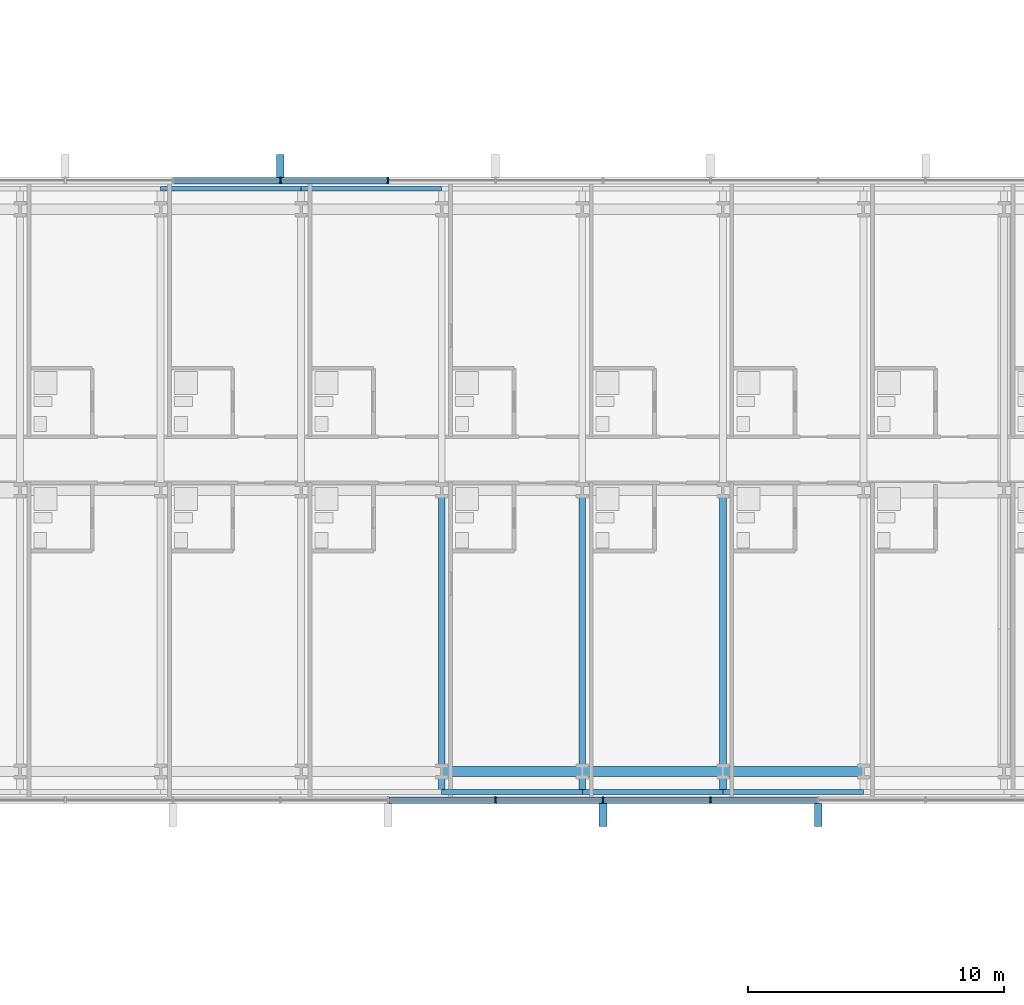
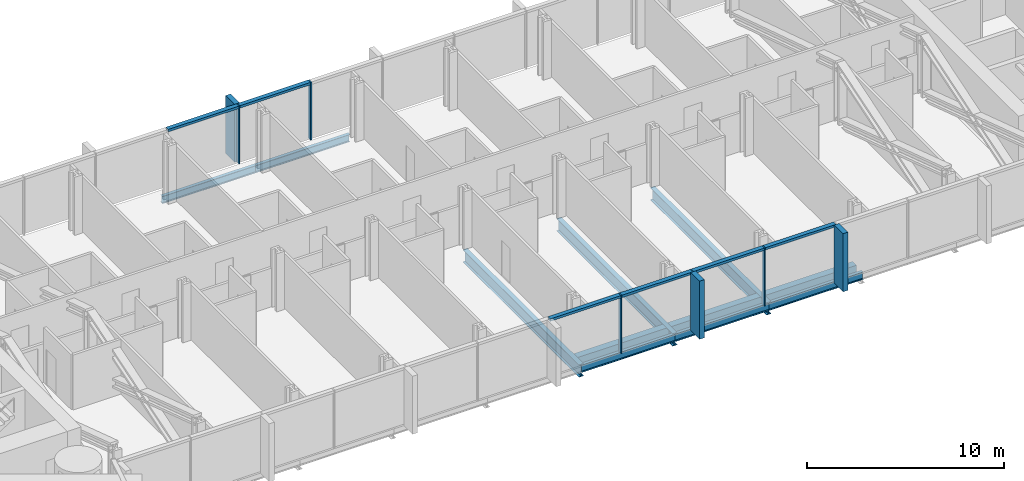
# One storey, part 6 of 23: 14 members, 11 beams, 2 elements without a shape of their own.
"""IFC4 building model written with IfcOpenShell, lengths in metres."""

from ifc_helpers import new_model, si_unit, direction, frame, origin, origin_2d, place, context, subcontext, project, spatial, rectangle, hollow_rectangle, i_section, extrude, material, material_profile, profile_set, type_object, element, aggregate, save


model = new_model("IFC4")

# Units and contexts
model_context = context("Model", 3, precision=1e-05, world=origin(), true_north=direction((0.0, 1.0)))
body_context = subcontext(model_context, "Body", "Model", "MODEL_VIEW")
ifc_project = project(units=[si_unit("LENGTHUNIT", "METRE"), si_unit("AREAUNIT", "SQUARE_METRE"), si_unit("VOLUMEUNIT", "CUBIC_METRE"), si_unit("PLANEANGLEUNIT", "RADIAN"), si_unit("MASSUNIT", "GRAM", prefix="KILO")], contexts=[model_context])

# Site, building, storey
site_placement = place(None, origin())
site = spatial("IfcSite", under=ifc_project, at=site_placement, CompositionType="ELEMENT")
building_placement = place(site_placement, origin())
building = spatial("IfcBuilding", under=site, at=building_placement, Name="Lancet Gate Hotel", CompositionType="ELEMENT")
storey_placement = place(building_placement, frame((0.0, 0.0, 218.89990234375)))
storey = spatial("IfcBuildingStorey", under=building, at=storey_placement, Name="L58", CompositionType="ELEMENT", Elevation=218.89990234375)

# Curtain wall, members
ifc_material_1 = material(Name="Aluminium curtain wall", Category="aluminium")
curtain_wall_type = type_object("IfcCurtainWallType", Name="Bridge block curtain wall", PredefinedType="USERDEFINED", material=ifc_material_1)
curtain_wall_1_placement = place(storey_placement, origin())
curtain_wall_1 = element("IfcCurtainWall", 1, at=curtain_wall_1_placement, inside=storey, type_object=curtain_wall_type, Name="Bridge block L58 curtain wall S", ObjectType="UNITISED CURTAIN WALL", PredefinedType="USERDEFINED")
ifc_material_2 = material(Name="Aluminium mullion", Category="aluminium")
ifc_material_profile_1 = material_profile(ifc_material_2, rectangle(XDim=0.06494140625, YDim=0.25, at=origin_2d()), Name="MULLION 65x250")
ifc_profile_set_1 = profile_set([ifc_material_profile_1], Name="Aluminium mullion")
member_type_1 = type_object("IfcMemberType", Name="Aluminium mullion 65x250", PredefinedType="MULLION", material=ifc_profile_set_1)
member_1_placement = place(storey_placement, frame((2.103759765625, -12.1201171875, 0.0), z_axis=(0.0, 0.0, 1.0), x_axis=(1.0, 0.0, 0.0)))
member_1 = element("IfcMember", 2, at=member_1_placement, type_object=member_type_1, Name="Bridge block L58 curtain wall S mullion 8", PredefinedType="MULLION", context=body_context, shape_type="SweptSolid", body=[
    extrude(rectangle(XDim=0.06494140625, YDim=0.25, at=origin_2d()), origin(), (0.0, 0.0, 1.0), 3.60009765625),
])
member_2_placement = place(storey_placement, frame((6.3115234375, -12.1201171875, 0.0), z_axis=(0.0, 0.0, 1.0), x_axis=(1.0, 0.0, 0.0)))
member_2 = element("IfcMember", 3, at=member_2_placement, type_object=member_type_1, Name="Bridge block L58 curtain wall S mullion 9", PredefinedType="MULLION", context=body_context, shape_type="SweptSolid", body=[
    extrude(rectangle(XDim=0.06494140625, YDim=0.25, at=origin_2d()), origin(), (0.0, 0.0, 1.0), 3.60009765625),
])
member_3_placement = place(storey_placement, frame((10.519287109375, -12.1201171875, 0.0), z_axis=(0.0, 0.0, 1.0), x_axis=(1.0, 0.0, 0.0)))
member_3 = element("IfcMember", 4, at=member_3_placement, type_object=member_type_1, Name="Bridge block L58 curtain wall S mullion 10", PredefinedType="MULLION", context=body_context, shape_type="SweptSolid", body=[
    extrude(rectangle(XDim=0.06494140625, YDim=0.25, at=origin_2d()), origin(), (0.0, 0.0, 1.0), 3.60009765625),
])

curtain_wall_2_placement = place(storey_placement, origin())
curtain_wall_2 = element("IfcCurtainWall", 5, at=curtain_wall_2_placement, inside=storey, type_object=curtain_wall_type, Name="Bridge block L58 curtain wall N", ObjectType="UNITISED CURTAIN WALL", PredefinedType="USERDEFINED")
member_4_placement = place(storey_placement, frame((-2.103759765625, 12.1201171875, 0.0), z_axis=(0.0, 0.0, 1.0), x_axis=(-1.0, 0.0, 0.0)))
member_4 = element("IfcMember", 6, at=member_4_placement, type_object=member_type_1, Name="Bridge block L58 curtain wall N mullion 8", PredefinedType="MULLION", context=body_context, shape_type="SweptSolid", body=[
    extrude(rectangle(XDim=0.06494140625, YDim=0.25, at=origin_2d()), origin(), (0.0, 0.0, 1.0), 3.60009765625),
])
member_5_placement = place(storey_placement, frame((-6.3115234375, 12.1201171875, 0.0), z_axis=(0.0, 0.0, 1.0), x_axis=(-1.0, 0.0, 0.0)))
member_5 = element("IfcMember", 7, at=member_5_placement, type_object=member_type_1, Name="Bridge block L58 curtain wall N mullion 9", PredefinedType="MULLION", context=body_context, shape_type="SweptSolid", body=[
    extrude(rectangle(XDim=0.06494140625, YDim=0.25, at=origin_2d()), origin(), (0.0, 0.0, 1.0), 3.60009765625),
])

# Member
ifc_material_3 = material(Name="Aluminium transom", Category="aluminium")
ifc_material_profile_2 = material_profile(ifc_material_3, rectangle(XDim=0.25, YDim=0.14990234375, at=origin_2d()), Name="TRANSOM 250x150")
ifc_profile_set_2 = profile_set([ifc_material_profile_2], Name="Aluminium transom")
member_type_2 = type_object("IfcMemberType", Name="Aluminium transom 250x150", PredefinedType="USERDEFINED", material=ifc_profile_set_2)
member_6_placement = place(storey_placement, frame((-2.0712890625, -12.1201171875, 3.525146484375), z_axis=(1.0, 0.0, 0.0), x_axis=(0.0, 1.0, 0.0)))
member_6 = element("IfcMember", 8, at=member_6_placement, type_object=member_type_2, Name="Bridge block L58 curtain wall S transom 7", ObjectType="TRANSOM", PredefinedType="USERDEFINED", context=body_context, shape_type="SweptSolid", body=[
    extrude(rectangle(XDim=0.25, YDim=0.14990234375, at=origin_2d()), origin(), (0.0, 0.0, 1.0), 4.142578125),
])

member_7_placement = place(storey_placement, frame((2.13623046875, -12.1201171875, 3.525146484375), z_axis=(1.0, 0.0, 0.0), x_axis=(0.0, 1.0, 0.0)))
member_7 = element("IfcMember", 9, at=member_7_placement, type_object=member_type_2, Name="Bridge block L58 curtain wall S transom 8", ObjectType="TRANSOM", PredefinedType="USERDEFINED", context=body_context, shape_type="SweptSolid", body=[
    extrude(rectangle(XDim=0.25, YDim=0.14990234375, at=origin_2d()), origin(), (0.0, 0.0, 1.0), 4.142822265625),
])

member_8_placement = place(storey_placement, frame((6.343994140625, -12.1201171875, 3.525146484375), z_axis=(1.0, 0.0, 0.0), x_axis=(0.0, 1.0, 0.0)))
member_8 = element("IfcMember", 10, at=member_8_placement, type_object=member_type_2, Name="Bridge block L58 curtain wall S transom 9", ObjectType="TRANSOM", PredefinedType="USERDEFINED", context=body_context, shape_type="SweptSolid", body=[
    extrude(rectangle(XDim=0.25, YDim=0.14990234375, at=origin_2d()), origin(), (0.0, 0.0, 1.0), 4.142822265625),
])

member_9_placement = place(storey_placement, frame((10.5517578125, -12.1201171875, 3.525146484375), z_axis=(1.0, 0.0, 0.0), x_axis=(0.0, 1.0, 0.0)))
member_9 = element("IfcMember", 11, at=member_9_placement, type_object=member_type_2, Name="Bridge block L58 curtain wall S transom 10", ObjectType="TRANSOM", PredefinedType="USERDEFINED", context=body_context, shape_type="SweptSolid", body=[
    extrude(rectangle(XDim=0.25, YDim=0.14990234375, at=origin_2d()), origin(), (0.0, 0.0, 1.0), 4.142578125),
])

member_10_placement = place(storey_placement, frame((-2.13623046875, 12.1201171875, 3.525146484375), z_axis=(-1.0, 0.0, 0.0), x_axis=(0.0, -1.0, 0.0)))
member_10 = element("IfcMember", 12, at=member_10_placement, type_object=member_type_2, Name="Bridge block L58 curtain wall N transom 8", ObjectType="TRANSOM", PredefinedType="USERDEFINED", context=body_context, shape_type="SweptSolid", body=[
    extrude(rectangle(XDim=0.25, YDim=0.14990234375, at=origin_2d()), origin(), (0.0, 0.0, 1.0), 4.142822265625),
])

member_11_placement = place(storey_placement, frame((-6.343994140625, 12.1201171875, 3.525146484375), z_axis=(-1.0, 0.0, 0.0), x_axis=(0.0, -1.0, 0.0)))
member_11 = element("IfcMember", 13, at=member_11_placement, type_object=member_type_2, Name="Bridge block L58 curtain wall N transom 9", ObjectType="TRANSOM", PredefinedType="USERDEFINED", context=body_context, shape_type="SweptSolid", body=[
    extrude(rectangle(XDim=0.25, YDim=0.14990234375, at=origin_2d()), origin(), (0.0, 0.0, 1.0), 4.142822265625),
])

# Beams
ifc_material_4 = material(Name="Steel S355", Category="steel")
ifc_material_profile_3 = material_profile(ifc_material_4, i_section(OverallWidth=0.19140625, OverallDepth=0.4599609375, WebThickness=0.010009765625, FlangeThickness=0.01611328125, FilletRadius=0.01025390625, at=origin_2d()), Name="UKB 457x191x82")
ifc_profile_set_3 = profile_set([ifc_material_profile_3], Name="Steel S355")
beam_type_1 = type_object("IfcBeamType", Name="Block edge beam UKB 457x191x82", PredefinedType="SPANDREL", material=ifc_profile_set_3)
for number, where, z_axis, x_axis, name in (
    (14, (-11.0, 11.800048828125, -0.429931640625), (1.0, 0.0, 0.0), (0.0, 1.0, 0.0), "Block edge beam N 3-4 L58"),
    (15, (-5.5, 11.800048828125, -0.429931640625), (1.0, 0.0, 0.0), (0.0, 1.0, 0.0), "Block edge beam N 4-5 L58"),
    (16, (0.0, -11.800048828125, -0.429931640625), (1.0, 0.0, 0.0), (0.0, 1.0, 0.0), "Block edge beam S 5-6 L58"),
    (17, (5.5, -11.800048828125, -0.429931640625), (1.0, 0.0, 0.0), (0.0, 1.0, 0.0), "Block edge beam S 6-7 L58"),
    (18, (11.0, -11.800048828125, -0.429931640625), (1.0, 0.0, 0.0), (0.0, 1.0, 0.0), "Block edge beam S 7-8 L58"),
):
    element("IfcBeam", number, at=place(storey_placement, frame(where, z_axis=z_axis, x_axis=x_axis)), inside=storey, type_object=beam_type_1, Name=name, PredefinedType="SPANDREL", context=body_context, shape_type="SweptSolid", body=[
        extrude(i_section(OverallWidth=0.19140625, OverallDepth=0.4599609375, WebThickness=0.010009765625, FlangeThickness=0.01611328125, FilletRadius=0.01025390625, at=origin_2d()), origin(), (0.0, 0.0, 1.0), 5.5),
    ])
ifc_material_5 = material(Name="Steel S355", Category="steel")
ifc_material_profile_4 = material_profile(ifc_material_5, hollow_rectangle(XDim=0.39990234375, YDim=0.89990234375, WallThickness=0.0400390625, at=origin_2d()), Name="BOX 900x400x40")
ifc_profile_set_4 = profile_set([ifc_material_profile_4], Name="Steel S355")
beam_type_2 = type_object("IfcBeamType", Name="Block primary beam BOX 900x400x40", PredefinedType="BEAM", material=ifc_profile_set_4)
for number, where, z_axis, x_axis, name in (
    (19, (0.0, -11.0, -0.64990234375), (1.0, 0.0, 0.0), (0.0, 1.0, 0.0), "Block primary beam S 6 L58"),
    (20, (5.5, -11.0, -0.64990234375), (1.0, 0.0, 0.0), (0.0, 1.0, 0.0), "Block primary beam S 7 L58"),
    (21, (11.0, -11.0, -0.64990234375), (1.0, 0.0, 0.0), (0.0, 1.0, 0.0), "Block primary beam S 8 L58"),
):
    element("IfcBeam", number, at=place(storey_placement, frame(where, z_axis=z_axis, x_axis=x_axis)), inside=storey, type_object=beam_type_2, Name=name, PredefinedType="BEAM", context=body_context, shape_type="SweptSolid", body=[
        extrude(hollow_rectangle(XDim=0.39990234375, YDim=0.89990234375, WallThickness=0.0400390625, at=origin_2d()), origin(), (0.0, 0.0, 1.0), 5.5),
    ])
ifc_material_6 = material(Name="Steel S355", Category="steel")
ifc_material_profile_5 = material_profile(ifc_material_6, i_section(OverallWidth=0.26806640625, OverallDepth=0.769775390625, WebThickness=0.015625, FlangeThickness=0.025390625, FilletRadius=0.0166015625, at=origin_2d()), Name="UKB 762x267x197")
ifc_profile_set_5 = profile_set([ifc_material_profile_5], Name="Steel S355")
beam_type_3 = type_object("IfcBeamType", Name="Block secondary beam UKB 762x267x197", PredefinedType="JOIST", material=ifc_profile_set_5)
for number, where, z_axis, x_axis, name in (
    (22, (0.0, -11.800048828125, -0.584716796875), (0.0, 1.0, 0.0), (-1.0, 0.0, 0.0), "Block beam x5 S L58"),
    (23, (5.5, -11.800048828125, -0.584716796875), (0.0, 1.0, 0.0), (-1.0, 0.0, 0.0), "Block beam x6 S L58"),
    (24, (11.0, -11.800048828125, -0.584716796875), (0.0, 1.0, 0.0), (-1.0, 0.0, 0.0), "Block beam x7 S L58"),
):
    element("IfcBeam", number, at=place(storey_placement, frame(where, z_axis=z_axis, x_axis=x_axis)), inside=storey, type_object=beam_type_3, Name=name, PredefinedType="JOIST", context=body_context, shape_type="SweptSolid", body=[
        extrude(i_section(OverallWidth=0.26806640625, OverallDepth=0.769775390625, WebThickness=0.015625, FlangeThickness=0.025390625, FilletRadius=0.0166015625, at=origin_2d()), origin(), (0.0, 0.0, 1.0), 11.800048828125),
    ])

# Member
ifc_material_7 = material(Name="Precast concrete C50/60", Category="concrete")
ifc_material_profile_6 = material_profile(ifc_material_7, rectangle(XDim=0.300048828125, YDim=0.89990234375, at=origin_2d()), Name="FIN 300x900")
ifc_profile_set_6 = profile_set([ifc_material_profile_6], Name="Precast concrete C50/60")
member_type_3 = type_object("IfcMemberType", Name="Exposed concrete fin 300x900", PredefinedType="USERDEFINED", material=ifc_profile_set_6)
member_12_placement = place(storey_placement, frame((6.3115234375, -12.695068359375, 0.0), z_axis=(0.0, 0.0, 1.0), x_axis=(1.0, 0.0, 0.0)))
member_12 = element("IfcMember", 25, at=member_12_placement, type_object=member_type_3, Name="Bridge block L58 curtain wall S fin 9", ObjectType="FIN", PredefinedType="USERDEFINED", context=body_context, shape_type="SweptSolid", body=[
    extrude(rectangle(XDim=0.300048828125, YDim=0.89990234375, at=origin_2d()), origin(), (0.0, 0.0, 1.0), 3.60009765625),
])

member_13_placement = place(storey_placement, frame((14.726806640625, -12.695068359375, 0.0), z_axis=(0.0, 0.0, 1.0), x_axis=(1.0, 0.0, 0.0)))
member_13 = element("IfcMember", 26, at=member_13_placement, type_object=member_type_3, Name="Bridge block L58 curtain wall S fin 11", ObjectType="FIN", PredefinedType="USERDEFINED", context=body_context, shape_type="SweptSolid", body=[
    extrude(rectangle(XDim=0.300048828125, YDim=0.89990234375, at=origin_2d()), origin(), (0.0, 0.0, 1.0), 3.60009765625),
])

aggregate(curtain_wall_1, [member_1, member_2, member_12, member_3, member_13, member_6, member_7, member_8, member_9])

member_14_placement = place(storey_placement, frame((-6.3115234375, 12.695068359375, 0.0), z_axis=(0.0, 0.0, 1.0), x_axis=(-1.0, 0.0, 0.0)))
member_14 = element("IfcMember", 27, at=member_14_placement, type_object=member_type_3, Name="Bridge block L58 curtain wall N fin 9", ObjectType="FIN", PredefinedType="USERDEFINED", context=body_context, shape_type="SweptSolid", body=[
    extrude(rectangle(XDim=0.300048828125, YDim=0.89990234375, at=origin_2d()), origin(), (0.0, 0.0, 1.0), 3.60009765625),
])

aggregate(curtain_wall_2, [member_4, member_5, member_14, member_10, member_11])

save(model, "model.ifc")
